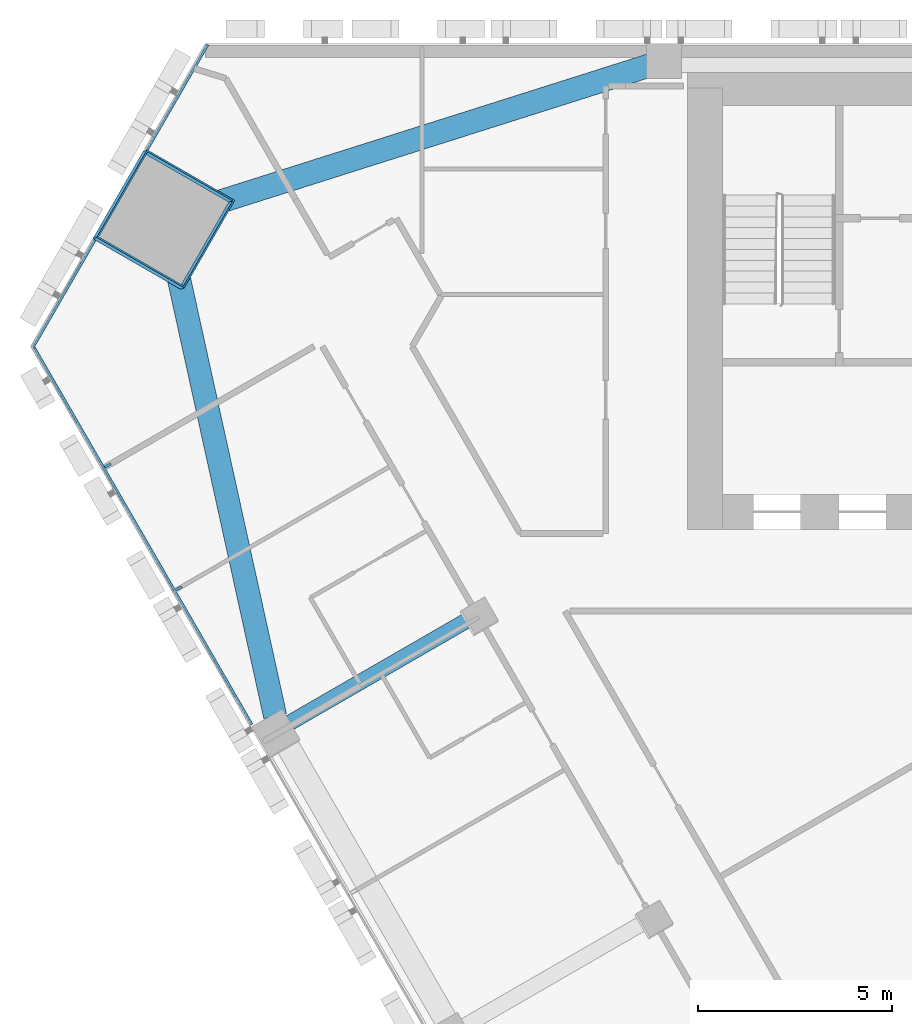
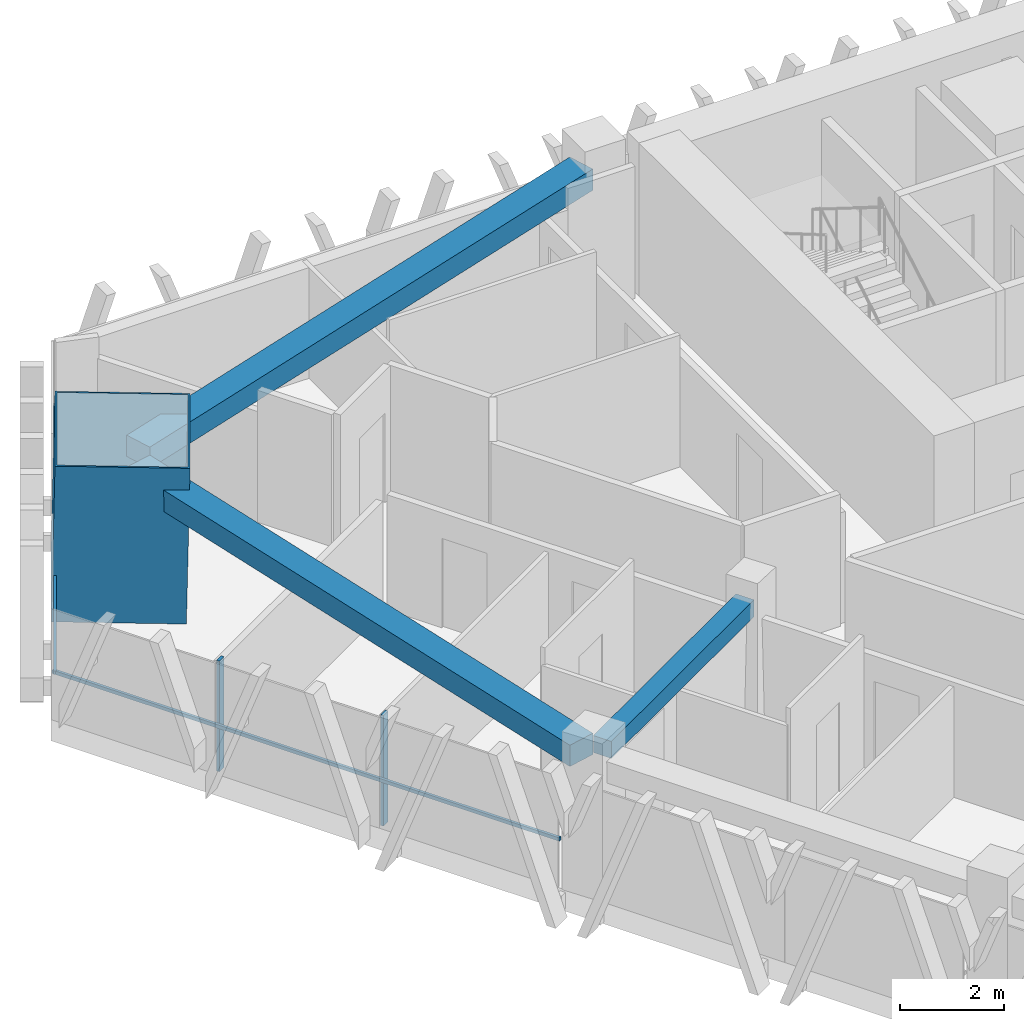
# One storey, part 5 of 16: 6 members, 3 beams, 2 elements without a shape of their own.
"""IFC4 building model written with IfcOpenShell, lengths in metres."""

from ifc_helpers import new_model, si_unit, direction, frame, origin, origin_2d, place, context, subcontext, project, spatial, rectangle, hollow_rectangle, extrude, material, layer, layer_set, material_profile, profile_set, type_object, element, aggregate, save


model = new_model("IFC4")

# Units and contexts
model_context = context("Model", 3, precision=1e-05, world=origin(), true_north=direction((0.0, 1.0)))
body_context = subcontext(model_context, "Body", "Model", "MODEL_VIEW")
ifc_project = project(units=[si_unit("LENGTHUNIT", "METRE"), si_unit("AREAUNIT", "SQUARE_METRE"), si_unit("VOLUMEUNIT", "CUBIC_METRE"), si_unit("PLANEANGLEUNIT", "RADIAN"), si_unit("MASSUNIT", "GRAM", prefix="KILO")], contexts=[model_context])

# Site, building, storey
site_placement = place(None, origin())
site = spatial("IfcSite", under=ifc_project, at=site_placement, CompositionType="ELEMENT")
building_placement = place(site_placement, origin())
building = spatial("IfcBuilding", under=site, at=building_placement, Name="Altiplano Prism Tower", CompositionType="ELEMENT")
storey_placement = place(building_placement, frame((0.0, 0.0, 73.800048828125)))
storey = spatial("IfcBuildingStorey", under=building, at=storey_placement, Name="L18", CompositionType="ELEMENT", Elevation=73.800048828125)

# Curtain wall, members
ifc_material_1 = material(Name="Aluminium and glass", Category="aluminium")
ifc_layer = layer(ifc_material_1, 0.280029296875)
ifc_layer_set = layer_set([ifc_layer], Name="Aluminium and glass")
curtain_wall_type = type_object("IfcCurtainWallType", Name="CW1 typical co-living unitised curtain wall", PredefinedType="NOTDEFINED", material=ifc_layer_set)
curtain_wall_1_placement = place(storey_placement, origin())
curtain_wall_1 = element("IfcCurtainWall", 1, at=curtain_wall_1_placement, inside=storey, type_object=curtain_wall_type, Name="CW1 curtain wall south-west face L18", PredefinedType="NOTDEFINED")
ifc_material_2 = material(Name="Aluminium", Category="aluminium")
ifc_material_profile_1 = material_profile(ifc_material_2, rectangle(XDim=0.179931640625, YDim=0.06494140625, at=origin_2d()), Name="CW1 mullion 65 x 180")
ifc_profile_set_1 = profile_set([ifc_material_profile_1], Name="Aluminium")
member_type_1 = type_object("IfcMemberType", Name="CW1 mullion 65 x 180", PredefinedType="MULLION", material=ifc_profile_set_1)
member_1_placement = place(storey_placement, frame((57.1943359375, 94.142822265625, 0.0), z_axis=(0.0, 0.0, 1.0), x_axis=(0.866025402161, 0.500000002811, 0.0)))
member_1 = element("IfcMember", 2, at=member_1_placement, type_object=member_type_1, Name="CW1 mullion", PredefinedType="MULLION", context=body_context, shape_type="SweptSolid", body=[
    extrude(rectangle(XDim=0.179931640625, YDim=0.06494140625, at=origin_2d()), origin(), (0.0, 0.0, 1.0), 2.599853515625),
])
member_2_placement = place(storey_placement, frame((59.017822265625, 90.984619140625, 0.0), z_axis=(0.0, 0.0, 1.0), x_axis=(0.866025402161, 0.500000002811, 0.0)))
member_2 = element("IfcMember", 3, at=member_2_placement, type_object=member_type_1, Name="CW1 mullion", PredefinedType="MULLION", context=body_context, shape_type="SweptSolid", body=[
    extrude(rectangle(XDim=0.179931640625, YDim=0.06494140625, at=origin_2d()), origin(), (0.0, 0.0, 1.0), 2.599853515625),
])

curtain_wall_2_placement = place(storey_placement, origin())
curtain_wall_2 = element("IfcCurtainWall", 4, at=curtain_wall_2_placement, inside=storey, type_object=curtain_wall_type, Name="CW1 curtain wall north-west chamfer L18", PredefinedType="NOTDEFINED")
ifc_material_profile_2 = material_profile(ifc_material_2, rectangle(XDim=0.06005859375, YDim=0.080078125, at=origin_2d()), Name="CW1 transom 80 x 60")
ifc_profile_set_2 = profile_set([ifc_material_profile_2], Name="Aluminium")
member_type_2 = type_object("IfcMemberType", Name="CW1 transom 80 x 60", PredefinedType="USERDEFINED", material=ifc_profile_set_2)
member_3_placement = place(storey_placement, frame((59.7666015625, 104.965087890625, 1.099853515625), z_axis=(-0.499968574831, -0.866043546354, 0.0), x_axis=(0.866043546354, -0.499968574831, 0.0)))
member_3 = element("IfcMember", 5, at=member_3_placement, type_object=member_type_2, Name="CW1 transom", ObjectType="TRANSOM", PredefinedType="USERDEFINED", context=body_context, shape_type="SweptSolid", body=[
    extrude(rectangle(XDim=0.06005859375, YDim=0.080078125, at=origin_2d()), origin(), (0.0, 0.0, 1.0), 3.119873046875),
])
member_4_placement = place(storey_placement, frame((56.866943359375, 99.9423828125, 1.099853515625), z_axis=(-0.50000426018, -0.866022944154, 0.0), x_axis=(0.866022944154, -0.50000426018, 0.0)))
member_4 = element("IfcMember", 6, at=member_4_placement, type_object=member_type_2, Name="CW1 transom", ObjectType="TRANSOM", PredefinedType="USERDEFINED", context=body_context, shape_type="SweptSolid", body=[
    extrude(rectangle(XDim=0.06005859375, YDim=0.080078125, at=origin_2d()), origin(), (0.0, 0.0, 1.0), 3.19970703125),
])
aggregate(curtain_wall_2, [member_3, member_4])

# Member
member_5_placement = place(storey_placement, frame((55.26708984375, 97.2412109375, 1.099853515625), z_axis=(0.499996997512, -0.866027137265, 0.0), x_axis=(0.866027137265, 0.499996997512, 0.0)))
member_5 = element("IfcMember", 7, at=member_5_placement, type_object=member_type_2, Name="CW1 transom", ObjectType="TRANSOM", PredefinedType="USERDEFINED", context=body_context, shape_type="SweptSolid", body=[
    extrude(rectangle(XDim=0.06005859375, YDim=0.080078125, at=origin_2d()), origin(), (0.0, 0.0, 1.0), 11.26416015625),
])

aggregate(curtain_wall_1, [member_1, member_2, member_5])

# Beams
ifc_material_3 = material(Name="Concrete C60/75", Category="concrete")
ifc_material_profile_3 = material_profile(ifc_material_3, rectangle(XDim=0.60009765625, YDim=0.5, at=origin_2d()), Name="Edge beam 600x500")
ifc_profile_set_3 = profile_set([ifc_material_profile_3], Name="Concrete C60/75")
beam_type_1 = type_object("IfcBeamType", Name="Edge beam 600x500", PredefinedType="SPANDREL", material=ifc_profile_set_3)
beam_1_placement = place(storey_placement, frame((71.164306640625, 104.443603515625, 2.849853515625), z_axis=(-0.953230909103, -0.302243004768, 0.0), x_axis=(0.302243004768, -0.953230909103, 0.0)))
element("IfcBeam", 8, at=beam_1_placement, inside=storey, type_object=beam_type_1, Name="Edge beam P04-M0 L19", PredefinedType="SPANDREL", context=body_context, shape_type="SweptSolid", body=[
    extrude(rectangle(XDim=0.60009765625, YDim=0.5, at=origin_2d()), origin(), (0.0, 0.0, 1.0), 12.642333984375),
])
beam_2_placement = place(storey_placement, frame((58.781005859375, 100.046875, 2.849853515625), z_axis=(0.214860677472, -0.976644709849, 0.0), x_axis=(0.976644709849, 0.214860677472, 0.0)))
element("IfcBeam", 9, at=beam_2_placement, inside=storey, type_object=beam_type_1, Name="Edge beam M0-P11 L19", PredefinedType="SPANDREL", context=body_context, shape_type="SweptSolid", body=[
    extrude(rectangle(XDim=0.60009765625, YDim=0.5, at=origin_2d()), origin(), (0.0, 0.0, 1.0), 12.64208984375),
])

# Member
ifc_material_4 = material(Name="Steel S460", Category="steel")
ifc_material_profile_4 = material_profile(ifc_material_4, hollow_rectangle(XDim=2.60009765625, YDim=2.60009765625, WallThickness=0.0400390625, at=origin_2d()), Name="Mega column tube 2600")
ifc_profile_set_4 = profile_set([ifc_material_profile_4], Name="Steel S460")
member_type_3 = type_object("IfcMemberType", Name="Mega column tube 2600", PredefinedType="POST", material=ifc_profile_set_4)
member_6_placement = place(storey_placement, frame((58.58203125, 100.453125, 0.0), z_axis=(0.028403721265, 0.009287135593, 0.999553389135), x_axis=(-0.866201868799, 0.499294814231, 0.019975258968)))
element("IfcMember", 10, at=member_6_placement, inside=storey, type_object=member_type_3, Name="Mega column tube M0 L18", PredefinedType="POST", context=body_context, shape_type="SweptSolid", body=[
    extrude(hollow_rectangle(XDim=2.60009765625, YDim=2.60009765625, WallThickness=0.0400390625, at=origin_2d()), origin(), (0.0, 0.0, 1.0), 3.6015625),
])

# Beam
ifc_material_profile_5 = material_profile(ifc_material_3, rectangle(XDim=0.39990234375, YDim=0.39990234375, at=origin_2d()), Name="Tie beam 400x400")
ifc_profile_set_5 = profile_set([ifc_material_profile_5], Name="Concrete C60/75")
beam_type_2 = type_object("IfcBeamType", Name="Tie beam 400x400", PredefinedType="BEAM", material=ifc_profile_set_5)
beam_3_placement = place(storey_placement, frame((66.61328125, 90.265869140625, 2.89990234375), z_axis=(-0.866031549307, -0.499989355492, 0.0), x_axis=(0.499989355492, -0.866031549307, 0.0)))
element("IfcBeam", 11, at=beam_3_placement, inside=storey, type_object=beam_type_2, Name="Tie beam I11 L19", PredefinedType="BEAM", context=body_context, shape_type="SweptSolid", body=[
    extrude(rectangle(XDim=0.39990234375, YDim=0.39990234375, at=origin_2d()), origin(), (0.0, 0.0, 1.0), 5.48974609375),
])

save(model, "model.ifc")
